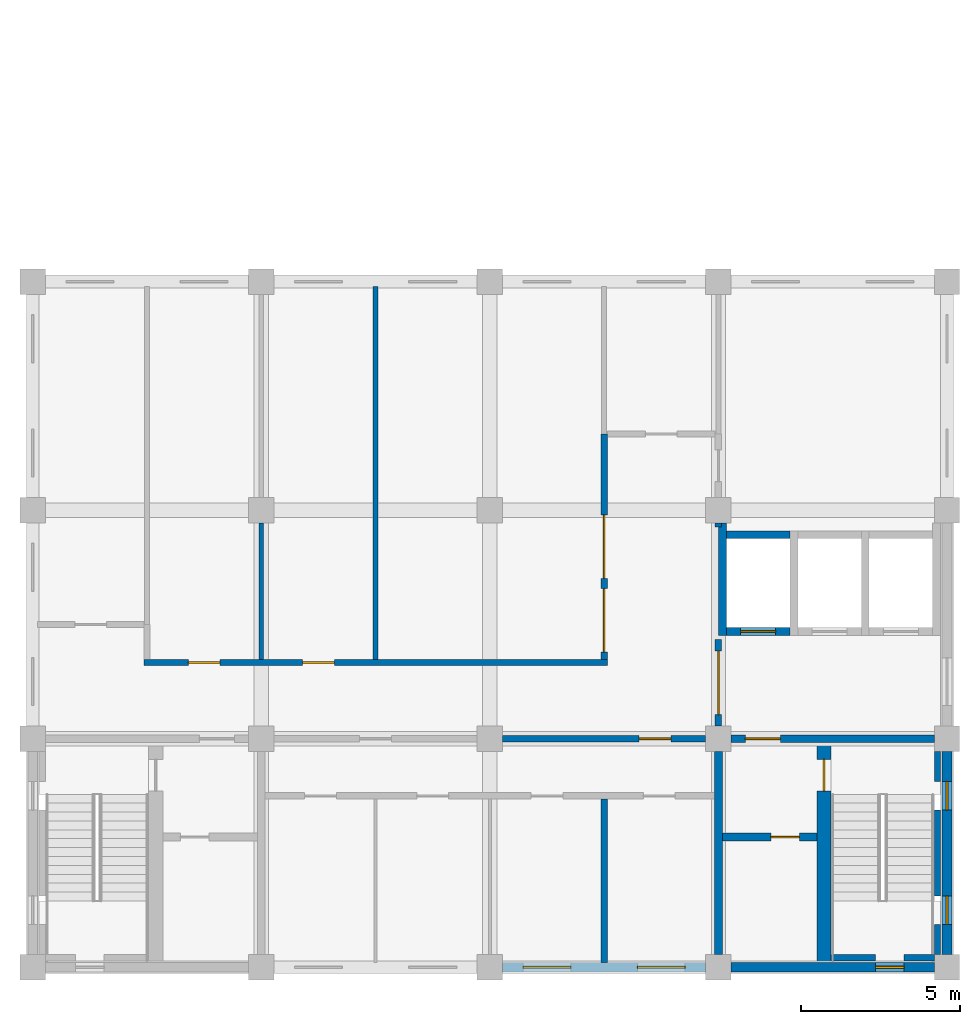
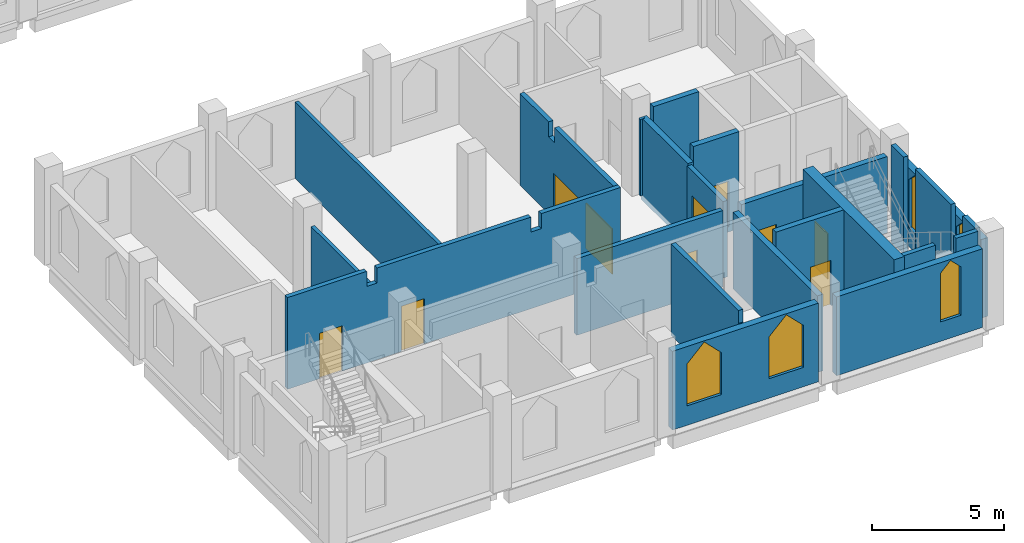
# One storey, part 3 of 11: 23 walls, 10 doors, 5 windows, 15 openings.
"""IFC4 building model written with IfcOpenShell, lengths in metres."""

from ifc_helpers import new_model, si_unit, direction, frame, frame_2d, origin, place, context, subcontext, project, spatial, polyline, rectangle, outline, extrude, material, layer, layer_set, type_object, element, fill, save


model = new_model("IFC4")

# Units and contexts
model_context = context("Model", 3, precision=1e-05, world=origin(), true_north=direction((0.0, 1.0)))
body_context = subcontext(model_context, "Body", "Model", "MODEL_VIEW")
ifc_project = project(units=[si_unit("LENGTHUNIT", "METRE"), si_unit("AREAUNIT", "SQUARE_METRE"), si_unit("VOLUMEUNIT", "CUBIC_METRE"), si_unit("PLANEANGLEUNIT", "RADIAN"), si_unit("MASSUNIT", "GRAM", prefix="KILO")], contexts=[model_context])

# Site, building, storey
site_placement = place(None, origin())
site = spatial("IfcSite", under=ifc_project, at=site_placement, CompositionType="ELEMENT")
building_placement = place(site_placement, origin())
building = spatial("IfcBuilding", under=site, at=building_placement, Name="Silangan Lancet Faculty of Sciences", CompositionType="ELEMENT")
storey_placement = place(building_placement, frame((0.0, 0.0, 45.300048828125)))
storey = spatial("IfcBuildingStorey", under=building, at=storey_placement, Name="L09", CompositionType="ELEMENT", Elevation=45.300048828125)

# Wall, openings, windows
ifc_material_1 = material(Name="Concrete C40/50 precast", Category="concrete")
ifc_layer_1 = layer(ifc_material_1, 0.300048828125)
ifc_layer_set_1 = layer_set([ifc_layer_1], Name="Concrete C40/50 precast")
wall_type_1 = type_object("IfcWallType", Name="EW1 Precast cladding wall", PredefinedType="STANDARD", material=ifc_layer_set_1)
wall_1_placement = place(storey_placement, frame((14.800048828125, 0.0, 0.0), z_axis=(0.0, 0.0, 1.0), x_axis=(1.0, 0.0, 0.0)))
wall_1 = element("IfcWall", 1, at=wall_1_placement, inside=storey, type_object=wall_type_1, Name="EW-L09-S-ST-02", PredefinedType="STANDARD", context=body_context, shape_type="SweptSolid", body=[
    extrude(rectangle(XDim=6.39990234375, YDim=0.300048828125, at=frame_2d((3.199951171875, 0.0))), origin(), (0.0, 0.0, 1.0), 3.64990234375),
])
opening_1_placement = place(wall_1_placement, frame((0.64990234375, 0.0, 0.89990234375)))
opening_1 = element("IfcOpeningElement", 2, at=opening_1_placement, cuts=wall_1, Name="Opening W23", PredefinedType="OPENING", context=body_context, shape_type="SweptSolid", body=[
    extrude(outline(polyline([(0.0, 0.0), (1.5, 0.0), (1.5, 1.949951171875), (0.75, 2.699951171875), (0.0, 1.949951171875), (0.0, 0.0)])), frame((0.0, 0.159912109375, 0.0), z_axis=(0.0, -1.0, 0.0), x_axis=(1.0, 0.0, 0.0)), (0.0, 0.0, 1.0), 0.320068359375),
])
opening_2_placement = place(wall_1_placement, frame((4.25, 0.0, 0.89990234375)))
opening_2 = element("IfcOpeningElement", 3, at=opening_2_placement, cuts=wall_1, Name="Opening W23", PredefinedType="OPENING", context=body_context, shape_type="SweptSolid", body=[
    extrude(outline(polyline([(0.0, 0.0), (1.5, 0.0), (1.5, 1.949951171875), (0.75, 2.699951171875), (0.0, 1.949951171875), (0.0, 0.0)])), frame((0.0, 0.159912109375, 0.0), z_axis=(0.0, -1.0, 0.0), x_axis=(1.0, 0.0, 0.0)), (0.0, 0.0, 1.0), 0.320068359375),
])
ifc_material_2 = material(Name="Aluminium frame, laminated double glazing", Category="aluminium")
window_type_1 = type_object("IfcWindowType", Name="W23 Lancet window 1500 x 2700", PartitioningType="SINGLE_PANEL", PredefinedType="WINDOW", material=ifc_material_2)
window_1_placement = place(opening_1_placement, origin())
window_1 = element("IfcWindow", 4, at=window_1_placement, inside=storey, type_object=window_type_1, Name="WIN-L09-S-ST-02a", OverallHeight=2.699951171875, OverallWidth=1.5, PartitioningType="SINGLE_PANEL", PredefinedType="WINDOW", context=body_context, shape_type="SweptSolid", body=[
    extrude(outline(polyline([(0.0, 0.0), (1.5, 0.0), (1.5, 1.949951171875), (0.75, 2.699951171875), (0.0, 1.949951171875), (0.0, 0.0)])), frame((0.0, 0.030029296875, 0.0), z_axis=(0.0, -1.0, 0.0), x_axis=(1.0, 0.0, 0.0)), (0.0, 0.0, 1.0), 0.06005859375),
])
fill(opening_1, window_1)
window_2_placement = place(opening_2_placement, origin())
window_2 = element("IfcWindow", 5, at=window_2_placement, inside=storey, type_object=window_type_1, Name="WIN-L09-S-ST-02b", OverallHeight=2.699951171875, OverallWidth=1.5, PartitioningType="SINGLE_PANEL", PredefinedType="WINDOW", context=body_context, shape_type="SweptSolid", body=[
    extrude(outline(polyline([(0.0, 0.0), (1.5, 0.0), (1.5, 1.949951171875), (0.75, 2.699951171875), (0.0, 1.949951171875), (0.0, 0.0)])), frame((0.0, 0.030029296875, 0.0), z_axis=(0.0, -1.0, 0.0), x_axis=(1.0, 0.0, 0.0)), (0.0, 0.0, 1.0), 0.06005859375),
])
fill(opening_2, window_2)

# Wall, opening, window
ifc_material_3 = material(Name="Concrete C40/50 precast", Category="concrete")
ifc_layer_2 = layer(ifc_material_3, 0.300048828125)
ifc_layer_set_2 = layer_set([ifc_layer_2], Name="Concrete C40/50 precast")
wall_type_2 = type_object("IfcWallType", Name="EW2 Turret enclosure wall", PredefinedType="STANDARD", material=ifc_layer_set_2)
wall_2_placement = place(storey_placement, frame((22.0, 0.0, 0.0), z_axis=(0.0, 0.0, 1.0), x_axis=(1.0, 0.0, 0.0)))
wall_2 = element("IfcWall", 6, at=wall_2_placement, inside=storey, type_object=wall_type_2, Name="EW-L09-S-ST-03", PredefinedType="STANDARD", context=body_context, shape_type="SweptSolid", body=[
    extrude(rectangle(XDim=6.39990234375, YDim=0.300048828125, at=frame_2d((3.199951171875, 0.0))), origin(), (0.0, 0.0, 1.0), 3.64990234375),
])
opening_3_placement = place(wall_2_placement, frame((4.550048828125, 0.0, 0.89990234375)))
opening_3 = element("IfcOpeningElement", 7, at=opening_3_placement, cuts=wall_2, Name="Opening W22", PredefinedType="OPENING", context=body_context, shape_type="SweptSolid", body=[
    extrude(outline(polyline([(0.0, 0.0), (0.89990234375, 0.0), (0.89990234375, 2.25), (0.449951171875, 2.699951171875), (0.0, 2.25), (0.0, 0.0)])), frame((0.0, 0.159912109375, 0.0), z_axis=(0.0, -1.0, 0.0), x_axis=(1.0, 0.0, 0.0)), (0.0, 0.0, 1.0), 0.320068359375),
])
ifc_material_4 = material(Name="Aluminium frame, laminated double glazing", Category="aluminium")
window_type_2 = type_object("IfcWindowType", Name="W22 Lancet window 900 x 2700", PartitioningType="SINGLE_PANEL", PredefinedType="WINDOW", material=ifc_material_4)
window_3_placement = place(opening_3_placement, origin())
window_3 = element("IfcWindow", 8, at=window_3_placement, inside=storey, type_object=window_type_2, Name="WIN-L09-S-ST-03b", OverallHeight=2.699951171875, OverallWidth=0.89990234375, PartitioningType="SINGLE_PANEL", PredefinedType="WINDOW", context=body_context, shape_type="SweptSolid", body=[
    extrude(outline(polyline([(0.0, 0.0), (0.89990234375, 0.0), (0.89990234375, 2.25), (0.449951171875, 2.699951171875), (0.0, 2.25), (0.0, 0.0)])), frame((0.0, 0.030029296875, 0.0), z_axis=(0.0, -1.0, 0.0), x_axis=(1.0, 0.0, 0.0)), (0.0, 0.0, 1.0), 0.06005859375),
])
fill(opening_3, window_3)

# Wall, openings, windows
wall_3_placement = place(storey_placement, frame((28.800048828125, 0.39990234375, 0.0), z_axis=(0.0, 0.0, 1.0), x_axis=(0.0, 1.0, 0.0)))
wall_3 = element("IfcWall", 9, at=wall_3_placement, inside=storey, type_object=wall_type_2, Name="EW-L09-E-ST-00", PredefinedType="STANDARD", context=body_context, shape_type="SweptSolid", body=[
    extrude(rectangle(XDim=6.400146484375, YDim=0.300048828125, at=frame_2d((3.2001953125, 0.0))), origin(), (0.0, 0.0, 1.0), 3.64990234375),
])
opening_4_placement = place(wall_3_placement, frame((0.949951171875, 0.0, 0.89990234375)))
opening_4 = element("IfcOpeningElement", 10, at=opening_4_placement, cuts=wall_3, Name="Opening W22", PredefinedType="OPENING", context=body_context, shape_type="SweptSolid", body=[
    extrude(outline(polyline([(0.0, 0.0), (0.89990234375, 0.0), (0.89990234375, 2.25), (0.449951171875, 2.699951171875), (0.0, 2.25), (0.0, 0.0)])), frame((0.0, 0.159912109375, 0.0), z_axis=(0.0, -1.0, 0.0), x_axis=(1.0, 0.0, 0.0)), (0.0, 0.0, 1.0), 0.320068359375),
])
opening_5_placement = place(wall_3_placement, frame((4.550048828125, 0.0, 0.89990234375)))
opening_5 = element("IfcOpeningElement", 11, at=opening_5_placement, cuts=wall_3, Name="Opening W22", PredefinedType="OPENING", context=body_context, shape_type="SweptSolid", body=[
    extrude(outline(polyline([(0.0, 0.0), (0.89990234375, 0.0), (0.89990234375, 2.25), (0.449951171875, 2.699951171875), (0.0, 2.25), (0.0, 0.0)])), frame((0.0, 0.159912109375, 0.0), z_axis=(0.0, -1.0, 0.0), x_axis=(1.0, 0.0, 0.0)), (0.0, 0.0, 1.0), 0.320068359375),
])
window_4_placement = place(opening_4_placement, origin())
window_4 = element("IfcWindow", 12, at=window_4_placement, inside=storey, type_object=window_type_2, Name="WIN-L09-E-ST-00a", OverallHeight=2.699951171875, OverallWidth=0.89990234375, PartitioningType="SINGLE_PANEL", PredefinedType="WINDOW", context=body_context, shape_type="SweptSolid", body=[
    extrude(outline(polyline([(0.0, 0.0), (0.89990234375, 0.0), (0.89990234375, 2.25), (0.449951171875, 2.699951171875), (0.0, 2.25), (0.0, 0.0)])), frame((0.0, 0.030029296875, 0.0), z_axis=(0.0, -1.0, 0.0), x_axis=(1.0, 0.0, 0.0)), (0.0, 0.0, 1.0), 0.06005859375),
])
fill(opening_4, window_4)
window_5_placement = place(opening_5_placement, origin())
window_5 = element("IfcWindow", 13, at=window_5_placement, inside=storey, type_object=window_type_2, Name="WIN-L09-E-ST-00b", OverallHeight=2.699951171875, OverallWidth=0.89990234375, PartitioningType="SINGLE_PANEL", PredefinedType="WINDOW", context=body_context, shape_type="SweptSolid", body=[
    extrude(outline(polyline([(0.0, 0.0), (0.89990234375, 0.0), (0.89990234375, 2.25), (0.449951171875, 2.699951171875), (0.0, 2.25), (0.0, 0.0)])), frame((0.0, 0.030029296875, 0.0), z_axis=(0.0, -1.0, 0.0), x_axis=(1.0, 0.0, 0.0)), (0.0, 0.0, 1.0), 0.06005859375),
])
fill(opening_5, window_5)

# Wall, opening, door
ifc_material_5 = material(Name="Hollow block masonry fm 7 MPa", Category="masonry")
ifc_layer_3 = layer(ifc_material_5, 0.199951171875)
ifc_layer_set_3 = layer_set([ifc_layer_3], Name="Hollow block masonry fm 7 MPa")
wall_type_3 = type_object("IfcWallType", Name="Interior wall PW1 Corridor wall CHB 200", PredefinedType="PARTITIONING", material=ifc_layer_set_3)
wall_4_placement = place(storey_placement, frame((14.800048828125, 7.199951171875, 0.0), z_axis=(0.0, 0.0, 1.0), x_axis=(1.0, 0.0, 0.0)))
wall_4 = element("IfcWall", 14, at=wall_4_placement, inside=storey, type_object=wall_type_3, Name="Corridor wall CHB 200", PredefinedType="PARTITIONING", context=body_context, shape_type="SweptSolid", body=[
    extrude(rectangle(XDim=6.39990234375, YDim=0.199951171875, at=frame_2d((3.199951171875, 0.0))), origin(), (0.0, 0.0, 1.0), 3.550048828125),
])
opening_6_placement = place(wall_4_placement, frame((4.300048828125, 0.0, 0.0)))
opening_6 = element("IfcOpeningElement", 15, at=opening_6_placement, cuts=wall_4, Name="Opening L09-003", PredefinedType="OPENING", context=body_context, shape_type="SweptSolid", body=[
    extrude(rectangle(XDim=1.0, YDim=2.10009765625, at=frame_2d((0.5, 1.050048828125))), frame((0.0, 0.10986328125, 0.0), z_axis=(0.0, -1.0, 0.0), x_axis=(1.0, 0.0, 0.0)), (0.0, 0.0, 1.0), 0.219970703125),
])
ifc_material_6 = material(Name="Steel fire door set", Category="steel")
door_type_1 = type_object("IfcDoorType", Name="Door D1 Single leaf fire door 1000 x 2100", OperationType="SINGLE_SWING_LEFT", PredefinedType="DOOR", material=ifc_material_6)
door_1_placement = place(opening_6_placement, frame((1.0, 0.0, 0.0), z_axis=(0.0, 0.0, 1.0), x_axis=(-1.0, 0.0, 0.0)))
door_1 = element("IfcDoor", 16, at=door_1_placement, inside=storey, type_object=door_type_1, Name="Single leaf fire door 1000 x 2100", OperationType="SINGLE_SWING_LEFT", OverallHeight=2.10009765625, OverallWidth=1.0, PredefinedType="DOOR", context=body_context, shape_type="SweptSolid", body=[
    extrude(rectangle(XDim=1.0, YDim=2.10009765625, at=frame_2d((0.5, 1.050048828125))), frame((0.0, 0.025146484375, 0.0), z_axis=(0.0, -1.0, 0.0), x_axis=(1.0, 0.0, 0.0)), (0.0, 0.0, 1.0), 0.050048828125),
])
fill(opening_6, door_1)

# Wall, openings, doors
wall_5_placement = place(storey_placement, frame((3.5, 9.60009765625, 0.0), z_axis=(0.0, 0.0, 1.0), x_axis=(1.0, 0.0, 0.0)))
wall_5 = element("IfcWall", 17, at=wall_5_placement, inside=storey, type_object=wall_type_3, Name="Corridor wall CHB 200", PredefinedType="PARTITIONING", context=body_context, shape_type="SweptSolid", body=[
    extrude(outline(polyline([(0.0, 0.0), (14.60009765625, 0.0), (14.60009765625, 4.25), (11.125, 4.25), (11.125, 3.550048828125), (10.675048828125, 3.550048828125), (10.675048828125, 4.25), (3.925048828125, 4.25), (3.925048828125, 3.550048828125), (3.47509765625, 3.550048828125), (3.47509765625, 4.25), (0.0, 4.25), (0.0, 0.0)])), frame((0.0, 0.10009765625, 0.0), z_axis=(0.0, -1.0, 0.0), x_axis=(1.0, 0.0, 0.0)), (0.0, 0.0, 1.0), 0.199951171875),
])
opening_7_placement = place(wall_5_placement, frame((1.39990234375, 0.0, 0.0)))
opening_7 = element("IfcOpeningElement", 18, at=opening_7_placement, cuts=wall_5, Name="Opening L09-014", PredefinedType="OPENING", context=body_context, shape_type="SweptSolid", body=[
    extrude(rectangle(XDim=1.0, YDim=2.10009765625, at=frame_2d((0.5, 1.050048828125))), frame((0.0, 0.10986328125, 0.0), z_axis=(0.0, -1.0, 0.0), x_axis=(1.0, 0.0, 0.0)), (0.0, 0.0, 1.0), 0.219970703125),
])
opening_8_placement = place(wall_5_placement, frame((5.0, 0.0, 0.0)))
opening_8 = element("IfcOpeningElement", 19, at=opening_8_placement, cuts=wall_5, Name="Opening L09-015", PredefinedType="OPENING", context=body_context, shape_type="SweptSolid", body=[
    extrude(rectangle(XDim=1.0, YDim=2.10009765625, at=frame_2d((0.5, 1.050048828125))), frame((0.0, 0.10986328125, 0.0), z_axis=(0.0, -1.0, 0.0), x_axis=(1.0, 0.0, 0.0)), (0.0, 0.0, 1.0), 0.219970703125),
])
door_2_placement = place(opening_7_placement, origin())
door_2 = element("IfcDoor", 20, at=door_2_placement, inside=storey, type_object=door_type_1, Name="Single leaf fire door 1000 x 2100", OperationType="SINGLE_SWING_LEFT", OverallHeight=2.10009765625, OverallWidth=1.0, PredefinedType="DOOR", context=body_context, shape_type="SweptSolid", body=[
    extrude(rectangle(XDim=1.0, YDim=2.10009765625, at=frame_2d((0.5, 1.050048828125))), frame((0.0, 0.02490234375, 0.0), z_axis=(0.0, -1.0, 0.0), x_axis=(1.0, 0.0, 0.0)), (0.0, 0.0, 1.0), 0.050048828125),
])
fill(opening_7, door_2)
door_3_placement = place(opening_8_placement, origin())
door_3 = element("IfcDoor", 21, at=door_3_placement, inside=storey, type_object=door_type_1, Name="Single leaf fire door 1000 x 2100", OperationType="SINGLE_SWING_RIGHT", OverallHeight=2.10009765625, OverallWidth=1.0, PredefinedType="DOOR", context=body_context, shape_type="SweptSolid", body=[
    extrude(rectangle(XDim=1.0, YDim=2.10009765625, at=frame_2d((0.5, 1.050048828125))), frame((0.0, 0.02490234375, 0.0), z_axis=(0.0, -1.0, 0.0), x_axis=(1.0, 0.0, 0.0)), (0.0, 0.0, 1.0), 0.050048828125),
])
fill(opening_8, door_3)

wall_6_placement = place(storey_placement, frame((18.0, 9.699951171875, 0.0), z_axis=(0.0, 0.0, 1.0), x_axis=(0.0, 1.0, 0.0)))
wall_6 = element("IfcWall", 22, at=wall_6_placement, inside=storey, type_object=wall_type_3, Name="Corridor wall CHB 200", PredefinedType="PARTITIONING", context=body_context, shape_type="SweptSolid", body=[
    extrude(outline(polyline([(0.0, 0.0), (7.10009765625, 0.0), (7.10009765625, 4.25), (4.925048828125, 4.25), (4.925048828125, 3.550048828125), (4.47509765625, 3.550048828125), (4.47509765625, 4.25), (0.0, 4.25), (0.0, 0.0)])), frame((0.0, 0.10009765625, 0.0), z_axis=(0.0, -1.0, 0.0), x_axis=(1.0, 0.0, 0.0)), (0.0, 0.0, 1.0), 0.199951171875),
])
opening_9_placement = place(wall_6_placement, frame((2.550048828125, 0.0, 0.0)))
opening_9 = element("IfcOpeningElement", 23, at=opening_9_placement, cuts=wall_6, Name="Opening L09-016", PredefinedType="OPENING", context=body_context, shape_type="SweptSolid", body=[
    extrude(rectangle(XDim=2.0, YDim=2.10009765625, at=frame_2d((1.0, 1.050048828125))), frame((0.0, 0.10986328125, 0.0), z_axis=(0.0, -1.0, 0.0), x_axis=(1.0, 0.0, 0.0)), (0.0, 0.0, 1.0), 0.219970703125),
])
opening_10_placement = place(wall_6_placement, frame((0.22509765625, 0.0, 0.0)))
opening_10 = element("IfcOpeningElement", 24, at=opening_10_placement, cuts=wall_6, Name="Opening L09-017", PredefinedType="OPENING", context=body_context, shape_type="SweptSolid", body=[
    extrude(rectangle(XDim=2.0, YDim=2.10009765625, at=frame_2d((1.0, 1.050048828125))), frame((0.0, 0.10986328125, 0.0), z_axis=(0.0, -1.0, 0.0), x_axis=(1.0, 0.0, 0.0)), (0.0, 0.0, 1.0), 0.219970703125),
])
ifc_material_7 = material(Name="Steel fire door set", Category="steel")
door_type_2 = type_object("IfcDoorType", Name="Door D4 Double leaf fire door 2000 x 2100", OperationType="DOUBLE_DOOR_SINGLE_SWING", PredefinedType="DOOR", material=ifc_material_7)
door_4_placement = place(opening_9_placement, origin())
door_4 = element("IfcDoor", 25, at=door_4_placement, inside=storey, type_object=door_type_2, Name="Double leaf fire door 2000 x 2100", OperationType="DOUBLE_DOOR_SINGLE_SWING", OverallHeight=2.10009765625, OverallWidth=2.0, PredefinedType="DOOR", context=body_context, shape_type="SweptSolid", body=[
    extrude(rectangle(XDim=2.0, YDim=2.10009765625, at=frame_2d((1.0, 1.050048828125))), frame((0.0, 0.02490234375, 0.0), z_axis=(0.0, -1.0, 0.0), x_axis=(1.0, 0.0, 0.0)), (0.0, 0.0, 1.0), 0.050048828125),
])
fill(opening_9, door_4)
door_5_placement = place(opening_10_placement, origin())
door_5 = element("IfcDoor", 26, at=door_5_placement, inside=storey, type_object=door_type_2, Name="Double leaf fire door 2000 x 2100", OperationType="DOUBLE_DOOR_SINGLE_SWING", OverallHeight=2.10009765625, OverallWidth=2.0, PredefinedType="DOOR", context=body_context, shape_type="SweptSolid", body=[
    extrude(rectangle(XDim=2.0, YDim=2.10009765625, at=frame_2d((1.0, 1.050048828125))), frame((0.0, 0.02490234375, 0.0), z_axis=(0.0, -1.0, 0.0), x_axis=(1.0, 0.0, 0.0)), (0.0, 0.0, 1.0), 0.050048828125),
])
fill(opening_10, door_5)

# Walls
wall_7_placement = place(storey_placement, frame((21.60009765625, 13.875, 0.0), z_axis=(0.0, 0.0, 1.0), x_axis=(0.0, 1.0, 0.0)))
element("IfcWall", 27, at=wall_7_placement, inside=storey, type_object=wall_type_3, Name="Corridor wall CHB 200", PredefinedType="PARTITIONING", context=body_context, shape_type="SweptSolid", body=[
    extrude(rectangle(XDim=0.125, YDim=0.199951171875, at=frame_2d((0.0625, 0.0))), origin(), (0.0, 0.0, 1.0), 3.550048828125),
])
ifc_material_8 = material(Name="Hollow block masonry fm 7 MPa", Category="masonry")
ifc_layer_4 = layer(ifc_material_8, 0.14990234375)
ifc_layer_set_4 = layer_set([ifc_layer_4], Name="Hollow block masonry fm 7 MPa")
wall_type_4 = type_object("IfcWallType", Name="Interior wall PW3 Partition CHB 150", PredefinedType="PARTITIONING", material=ifc_layer_set_4)
wall_8_placement = place(storey_placement, frame((7.199951171875, 9.699951171875, 0.0), z_axis=(0.0, 0.0, 1.0), x_axis=(0.0, 1.0, 0.0)))
element("IfcWall", 28, at=wall_8_placement, inside=storey, type_object=wall_type_4, Name="Partition CHB 150", PredefinedType="PARTITIONING", context=body_context, shape_type="SweptSolid", body=[
    extrude(rectangle(XDim=4.300048828125, YDim=0.14990234375, at=frame_2d((2.14990234375, 0.0))), origin(), (0.0, 0.0, 1.0), 3.550048828125),
])
wall_9_placement = place(storey_placement, frame((10.800048828125, 9.699951171875, 0.0), z_axis=(0.0, 0.0, 1.0), x_axis=(0.0, 1.0, 0.0)))
element("IfcWall", 29, at=wall_9_placement, inside=storey, type_object=wall_type_4, Name="Partition CHB 150", PredefinedType="PARTITIONING", context=body_context, shape_type="SweptSolid", body=[
    extrude(rectangle(XDim=11.75, YDim=0.14990234375, at=frame_2d((5.875, 0.0))), origin(), (0.0, 0.0, 1.0), 3.550048828125),
])
ifc_material_9 = material(Name="Hollow block masonry fm 7 MPa", Category="masonry")
ifc_layer_5 = layer(ifc_material_9, 0.199951171875)
ifc_layer_set_5 = layer_set([ifc_layer_5], Name="Hollow block masonry fm 7 MPa")
wall_type_5 = type_object("IfcWallType", Name="Interior wall PW4 Laboratory separation CHB 200", PredefinedType="PARTITIONING", material=ifc_layer_set_5)
wall_10_placement = place(storey_placement, frame((18.0, 0.14990234375, 0.0), z_axis=(0.0, 0.0, 1.0), x_axis=(0.0, 1.0, 0.0)))
element("IfcWall", 30, at=wall_10_placement, inside=storey, type_object=wall_type_5, Name="Laboratory separation CHB 200", PredefinedType="PARTITIONING", context=body_context, shape_type="SweptSolid", body=[
    extrude(outline(polyline([(0.0, 0.0), (5.150146484375, 0.0), (5.150146484375, 4.25), (0.050048828125, 4.25), (0.050048828125, 3.64990234375), (0.0, 3.64990234375), (0.0, 0.0)])), frame((0.0, 0.10009765625, 0.0), z_axis=(0.0, -1.0, 0.0), x_axis=(1.0, 0.0, 0.0)), (0.0, 0.0, 1.0), 0.199951171875),
])

# Wall, opening, door
ifc_material_10 = material(Name="Hollow block masonry fm 7 MPa", Category="masonry")
ifc_layer_6 = layer(ifc_material_10, 0.199951171875)
ifc_layer_set_6 = layer_set([ifc_layer_6], Name="Hollow block masonry fm 7 MPa")
wall_type_6 = type_object("IfcWallType", Name="Interior wall PW9 Lift lobby wall CHB 200", PredefinedType="PARTITIONING", material=ifc_layer_set_6)
wall_11_placement = place(storey_placement, frame((21.60009765625, 7.60009765625, 0.0), z_axis=(0.0, 0.0, 1.0), x_axis=(0.0, 1.0, 0.0)))
wall_11 = element("IfcWall", 31, at=wall_11_placement, inside=storey, type_object=wall_type_6, Name="Lift lobby wall CHB 200", PredefinedType="PARTITIONING", context=body_context, shape_type="SweptSolid", body=[
    extrude(rectangle(XDim=2.724853515625, YDim=0.199951171875, at=frame_2d((1.3623046875, 0.0))), origin(), (0.0, 0.0, 1.0), 3.550048828125),
])
opening_11_placement = place(wall_11_placement, frame((0.3623046875, 0.0, 0.0)))
opening_11 = element("IfcOpeningElement", 32, at=opening_11_placement, cuts=wall_11, Name="Opening L09-001", PredefinedType="OPENING", context=body_context, shape_type="SweptSolid", body=[
    extrude(rectangle(XDim=2.0, YDim=2.39990234375, at=frame_2d((1.0, 1.199951171875))), frame((0.0, 0.10986328125, 0.0), z_axis=(0.0, -1.0, 0.0), x_axis=(1.0, 0.0, 0.0)), (0.0, 0.0, 1.0), 0.219970703125),
])
ifc_material_11 = material(Name="Steel fire door set", Category="steel")
door_type_3 = type_object("IfcDoorType", Name="Door D5 Lift lobby double fire door 2000 x 2400", OperationType="DOUBLE_DOOR_SINGLE_SWING", PredefinedType="DOOR", material=ifc_material_11)
door_6_placement = place(opening_11_placement, origin())
door_6 = element("IfcDoor", 33, at=door_6_placement, inside=storey, type_object=door_type_3, Name="Lift lobby double fire door 2000 x 2400", OperationType="DOUBLE_DOOR_SINGLE_SWING", OverallHeight=2.39990234375, OverallWidth=2.0, PredefinedType="DOOR", context=body_context, shape_type="SweptSolid", body=[
    extrude(rectangle(XDim=2.0, YDim=2.39990234375, at=frame_2d((1.0, 1.199951171875))), frame((0.0, 0.02490234375, 0.0), z_axis=(0.0, -1.0, 0.0), x_axis=(1.0, 0.0, 0.0)), (0.0, 0.0, 1.0), 0.050048828125),
])
fill(opening_11, door_6)

# Wall
ifc_material_12 = material(Name="Concrete C40/50", Category="concrete")
ifc_layer_7 = layer(ifc_material_12, 0.25)
ifc_layer_set_7 = layer_set([ifc_layer_7], Name="Concrete C40/50")
wall_type_7 = type_object("IfcWallType", Name="LIFT SHAFT WALL RC 250", PredefinedType="SHEAR", material=ifc_layer_set_7)
wall_12_placement = place(storey_placement, frame((21.72509765625, 10.449951171875, -0.25), z_axis=(0.0, 0.0, 1.0), x_axis=(0.0, 1.0, 0.0)))
element("IfcWall", 34, at=wall_12_placement, inside=storey, type_object=wall_type_7, Name="WALL-L09-ST-SW1", PredefinedType="SHEAR", context=body_context, shape_type="SweptSolid", body=[
    extrude(rectangle(XDim=3.550048828125, YDim=0.25, at=frame_2d((1.77490234375, 0.0))), origin(), (0.0, 0.0, 1.0), 3.800048828125),
])

# Wall, opening, door
wall_13_placement = place(storey_placement, frame((21.85009765625, 10.574951171875, -0.25), z_axis=(0.0, 0.0, 1.0), x_axis=(1.0, 0.0, 0.0)))
wall_13 = element("IfcWall", 35, at=wall_13_placement, inside=storey, type_object=wall_type_7, Name="WALL-L09-ST-L1-F", PredefinedType="SHEAR", context=body_context, shape_type="SweptSolid", body=[
    extrude(rectangle(XDim=2.0, YDim=0.25, at=frame_2d((1.0, 0.0))), origin(), (0.0, 0.0, 1.0), 4.5),
])
opening_12_placement = place(wall_13_placement, frame((0.449951171875, 0.0, 0.25)))
opening_12 = element("IfcOpeningElement", 36, at=opening_12_placement, cuts=wall_13, Name="Opening L09-804", PredefinedType="OPENING", context=body_context, shape_type="SweptSolid", body=[
    extrude(rectangle(XDim=1.10009765625, YDim=2.10009765625, at=frame_2d((0.550048828125, 1.050048828125))), frame((0.0, 0.135009765625, 0.0), z_axis=(0.0, -1.0, 0.0), x_axis=(1.0, 0.0, 0.0)), (0.0, 0.0, 1.0), 0.27001953125),
])
ifc_material_13 = material(Name="Stainless steel sliding door", Category="steel")
door_type_4 = type_object("IfcDoorType", Name="LD1 Lift landing door 1100x2100", OperationType="SLIDING_TO_LEFT", PredefinedType="DOOR", material=ifc_material_13)
door_7_placement = place(opening_12_placement, origin())
door_7 = element("IfcDoor", 37, at=door_7_placement, inside=storey, type_object=door_type_4, Name="Landing door ST-L1 L09", OperationType="SLIDING_TO_LEFT", OverallHeight=2.10009765625, OverallWidth=1.10009765625, PredefinedType="DOOR", context=body_context, shape_type="SweptSolid", body=[
    extrude(rectangle(XDim=1.10009765625, YDim=2.10009765625, at=frame_2d((0.550048828125, 1.050048828125))), frame((0.0, 0.02490234375, 0.0), z_axis=(0.0, -1.0, 0.0), x_axis=(1.0, 0.0, 0.0)), (0.0, 0.0, 1.0), 0.050048828125),
])
fill(opening_12, door_7)

# Wall
wall_14_placement = place(storey_placement, frame((21.85009765625, 13.625, -0.25), z_axis=(0.0, 0.0, 1.0), x_axis=(1.0, 0.0, 0.0)))
element("IfcWall", 38, at=wall_14_placement, inside=storey, type_object=wall_type_7, Name="WALL-L09-ST-L1-B", PredefinedType="SHEAR", context=body_context, shape_type="SweptSolid", body=[
    extrude(rectangle(XDim=2.0, YDim=0.25, at=frame_2d((1.0, 0.0))), origin(), (0.0, 0.0, 1.0), 4.5),
])

# Wall, opening, door
ifc_material_14 = material(Name="Concrete C40/50", Category="concrete")
ifc_layer_8 = layer(ifc_material_14, 0.449951171875)
ifc_layer_set_8 = layer_set([ifc_layer_8], Name="Concrete C40/50")
wall_type_8 = type_object("IfcWallType", Name="TURRET CORE WALL RC 450", PredefinedType="SHEAR", material=ifc_layer_set_8)
wall_15_placement = place(storey_placement, frame((24.925048828125, 0.14990234375, 0.0), z_axis=(0.0, 0.0, 1.0), x_axis=(0.0, 1.0, 0.0)))
wall_15 = element("IfcWall", 39, at=wall_15_placement, inside=storey, type_object=wall_type_8, Name="WALL-L09-ST-B-WELL", PredefinedType="SHEAR", context=body_context, shape_type="SweptSolid", body=[
    extrude(rectangle(XDim=6.925048828125, YDim=0.449951171875, at=frame_2d((3.46240234375, 0.0))), origin(), (0.0, 0.0, 1.0), 4.25),
])
opening_13_placement = place(wall_15_placement, frame((5.39990234375, 0.0, 0.0)))
opening_13 = element("IfcOpeningElement", 40, at=opening_13_placement, cuts=wall_15, Name="Opening L09-710", PredefinedType="OPENING", context=body_context, shape_type="SweptSolid", body=[
    extrude(rectangle(XDim=1.0, YDim=2.10009765625, at=frame_2d((0.5, 1.050048828125))), frame((0.0, 0.23486328125, 0.0), z_axis=(0.0, -1.0, 0.0), x_axis=(1.0, 0.0, 0.0)), (0.0, 0.0, 1.0), 0.469970703125),
])
ifc_material_15 = material(Name="Steel fire door set", Category="steel")
door_type_5 = type_object("IfcDoorType", Name="D71 Stair enclosure door 1000x2100", OperationType="SINGLE_SWING_LEFT", PredefinedType="DOOR", material=ifc_material_15)
door_8_placement = place(opening_13_placement, frame((1.0, 0.0, 0.0), z_axis=(0.0, 0.0, 1.0), x_axis=(-1.0, 0.0, 0.0)))
door_8 = element("IfcDoor", 41, at=door_8_placement, inside=storey, type_object=door_type_5, Name="Stair enclosure door ST-B L09", OperationType="SINGLE_SWING_LEFT", OverallHeight=2.10009765625, OverallWidth=1.0, PredefinedType="DOOR", context=body_context, shape_type="SweptSolid", body=[
    extrude(rectangle(XDim=1.0, YDim=2.10009765625, at=frame_2d((0.5, 1.050048828125))), frame((0.0, 0.025146484375, 0.0), z_axis=(0.0, -1.0, 0.0), x_axis=(1.0, 0.0, 0.0)), (0.0, 0.0, 1.0), 0.050048828125),
])
fill(opening_13, door_8)

# Walls
ifc_material_16 = material(Name="Concrete C40/50", Category="concrete")
ifc_layer_9 = layer(ifc_material_16, 0.199951171875)
ifc_layer_set_9 = layer_set([ifc_layer_9], Name="Concrete C40/50")
wall_type_9 = type_object("IfcWallType", Name="TURRET LINING WALL RC 200", PredefinedType="SHEAR", material=ifc_layer_set_9)
wall_16_placement = place(storey_placement, frame((28.5, 0.39990234375, -0.25), z_axis=(0.0, 0.0, 1.0), x_axis=(0.0, 1.0, 0.0)))
element("IfcWall", 42, at=wall_16_placement, inside=storey, type_object=wall_type_9, Name="WALL-L09-ST-B-WL", PredefinedType="SHEAR", context=body_context, shape_type="SweptSolid", body=[
    extrude(rectangle(XDim=0.9501953125, YDim=0.199951171875, at=frame_2d((0.47509765625, 0.0))), origin(), (0.0, 0.0, 1.0), 4.5),
])
wall_17_placement = place(storey_placement, frame((28.5, 2.25, -0.25), z_axis=(0.0, 0.0, 1.0), x_axis=(0.0, 1.0, 0.0)))
element("IfcWall", 43, at=wall_17_placement, inside=storey, type_object=wall_type_9, Name="WALL-L09-ST-B-WL-2", PredefinedType="SHEAR", context=body_context, shape_type="SweptSolid", body=[
    extrude(rectangle(XDim=2.699951171875, YDim=0.199951171875, at=frame_2d((1.35009765625, 0.0))), origin(), (0.0, 0.0, 1.0), 4.5),
])
wall_18_placement = place(storey_placement, frame((28.5, 5.85009765625, -0.25), z_axis=(0.0, 0.0, 1.0), x_axis=(0.0, 1.0, 0.0)))
element("IfcWall", 44, at=wall_18_placement, inside=storey, type_object=wall_type_9, Name="WALL-L09-ST-B-WL-3", PredefinedType="SHEAR", context=body_context, shape_type="SweptSolid", body=[
    extrude(rectangle(XDim=0.949951171875, YDim=0.199951171875, at=frame_2d((0.47509765625, 0.0))), origin(), (0.0, 0.0, 1.0), 4.5),
])
wall_19_placement = place(storey_placement, frame((25.14990234375, 0.300048828125, -0.25), z_axis=(0.0, 0.0, 1.0), x_axis=(1.0, 0.0, 0.0)))
element("IfcWall", 45, at=wall_19_placement, inside=storey, type_object=wall_type_9, Name="WALL-L09-ST-B-WLD", PredefinedType="SHEAR", context=body_context, shape_type="SweptSolid", body=[
    extrude(rectangle(XDim=1.400146484375, YDim=0.199951171875, at=frame_2d((0.7001953125, 0.0))), origin(), (0.0, 0.0, 1.0), 4.5),
])
wall_20_placement = place(storey_placement, frame((27.449951171875, 0.300048828125, -0.25), z_axis=(0.0, 0.0, 1.0), x_axis=(1.0, 0.0, 0.0)))
element("IfcWall", 46, at=wall_20_placement, inside=storey, type_object=wall_type_9, Name="WALL-L09-ST-B-WLD-2", PredefinedType="SHEAR", context=body_context, shape_type="SweptSolid", body=[
    extrude(rectangle(XDim=0.949951171875, YDim=0.199951171875, at=frame_2d((0.47509765625, 0.0))), origin(), (0.0, 0.0, 1.0), 4.5),
])

# Wall, opening, door
ifc_material_17 = material(Name="Concrete C40/50", Category="concrete")
ifc_layer_10 = layer(ifc_material_17, 0.25)
ifc_layer_set_10 = layer_set([ifc_layer_10], Name="Concrete C40/50")
wall_type_10 = type_object("IfcWallType", Name="TURRET WALL RC 250", PredefinedType="SHEAR", material=ifc_layer_set_10)
wall_21_placement = place(storey_placement, frame((22.0, 7.199951171875, 0.0), z_axis=(0.0, 0.0, 1.0), x_axis=(1.0, 0.0, 0.0)))
wall_21 = element("IfcWall", 47, at=wall_21_placement, inside=storey, type_object=wall_type_10, Name="WALL-L09-ST-B-V", PredefinedType="SHEAR", context=body_context, shape_type="SweptSolid", body=[
    extrude(rectangle(XDim=6.39990234375, YDim=0.25, at=frame_2d((3.199951171875, 0.0))), origin(), (0.0, 0.0, 1.0), 3.550048828125),
])
opening_14_placement = place(wall_21_placement, frame((0.449951171875, 0.0, 0.0)))
opening_14 = element("IfcOpeningElement", 48, at=opening_14_placement, cuts=wall_21, Name="Opening L09-711", PredefinedType="OPENING", context=body_context, shape_type="SweptSolid", body=[
    extrude(rectangle(XDim=1.10009765625, YDim=2.10009765625, at=frame_2d((0.550048828125, 1.050048828125))), frame((0.0, 0.135009765625, 0.0), z_axis=(0.0, -1.0, 0.0), x_axis=(1.0, 0.0, 0.0)), (0.0, 0.0, 1.0), 0.27001953125),
])
ifc_material_18 = material(Name="Steel fire door set", Category="steel")
door_type_6 = type_object("IfcDoorType", Name="D70 Stair vestibule door 1100x2100", OperationType="SINGLE_SWING_LEFT", PredefinedType="DOOR", material=ifc_material_18)
door_9_placement = place(opening_14_placement, frame((1.10009765625, 0.0, 0.0), z_axis=(0.0, 0.0, 1.0), x_axis=(-1.0, 0.0, 0.0)))
door_9 = element("IfcDoor", 49, at=door_9_placement, inside=storey, type_object=door_type_6, Name="Stair vestibule door ST-B L09", OperationType="SINGLE_SWING_RIGHT", OverallHeight=2.10009765625, OverallWidth=1.10009765625, PredefinedType="DOOR", context=body_context, shape_type="SweptSolid", body=[
    extrude(rectangle(XDim=1.10009765625, YDim=2.10009765625, at=frame_2d((0.550048828125, 1.050048828125))), frame((0.0, 0.025146484375, 0.0), z_axis=(0.0, -1.0, 0.0), x_axis=(1.0, 0.0, 0.0)), (0.0, 0.0, 1.0), 0.050048828125),
])
fill(opening_14, door_9)

# Wall
wall_22_placement = place(storey_placement, frame((21.60009765625, 0.39990234375, 0.0), z_axis=(0.0, 0.0, 1.0), x_axis=(0.0, 1.0, 0.0)))
element("IfcWall", 50, at=wall_22_placement, inside=storey, type_object=wall_type_10, Name="WALL-L09-ST-B-O", PredefinedType="SHEAR", context=body_context, shape_type="SweptSolid", body=[
    extrude(rectangle(XDim=6.400146484375, YDim=0.25, at=frame_2d((3.2001953125, 0.0))), origin(), (0.0, 0.0, 1.0), 3.550048828125),
])

# Wall, opening, door
wall_23_placement = place(storey_placement, frame((21.72509765625, 4.10009765625, 0.0), z_axis=(0.0, 0.0, 1.0), x_axis=(1.0, 0.0, 0.0)))
wall_23 = element("IfcWall", 51, at=wall_23_placement, inside=storey, type_object=wall_type_10, Name="WALL-L09-ST-B-RISER", PredefinedType="SHEAR", context=body_context, shape_type="SweptSolid", body=[
    extrude(rectangle(XDim=2.974853515625, YDim=0.25, at=frame_2d((1.4873046875, 0.0))), origin(), (0.0, 0.0, 1.0), 4.25),
])
opening_15_placement = place(wall_23_placement, frame((1.52490234375, 0.0, 0.0)))
opening_15 = element("IfcOpeningElement", 52, at=opening_15_placement, cuts=wall_23, Name="Opening L09-712", PredefinedType="OPENING", context=body_context, shape_type="SweptSolid", body=[
    extrude(rectangle(XDim=0.89990234375, YDim=2.10009765625, at=frame_2d((0.449951171875, 1.050048828125))), frame((0.0, 0.135009765625, 0.0), z_axis=(0.0, -1.0, 0.0), x_axis=(1.0, 0.0, 0.0)), (0.0, 0.0, 1.0), 0.27001953125),
])
ifc_material_19 = material(Name="Steel fire door set", Category="steel")
door_type_7 = type_object("IfcDoorType", Name="D72 Riser access door 900x2100", OperationType="SINGLE_SWING_LEFT", PredefinedType="DOOR", material=ifc_material_19)
door_10_placement = place(opening_15_placement, frame((0.89990234375, 0.0, 0.0), z_axis=(0.0, 0.0, 1.0), x_axis=(-1.0, 0.0, 0.0)))
door_10 = element("IfcDoor", 53, at=door_10_placement, inside=storey, type_object=door_type_7, Name="Riser access door ST-B L09", OperationType="SINGLE_SWING_RIGHT", OverallHeight=2.10009765625, OverallWidth=0.89990234375, PredefinedType="DOOR", context=body_context, shape_type="SweptSolid", body=[
    extrude(rectangle(XDim=0.89990234375, YDim=2.10009765625, at=frame_2d((0.449951171875, 1.050048828125))), frame((0.0, 0.025146484375, 0.0), z_axis=(0.0, -1.0, 0.0), x_axis=(1.0, 0.0, 0.0)), (0.0, 0.0, 1.0), 0.050048828125),
])
fill(opening_15, door_10)

save(model, "model.ifc")
